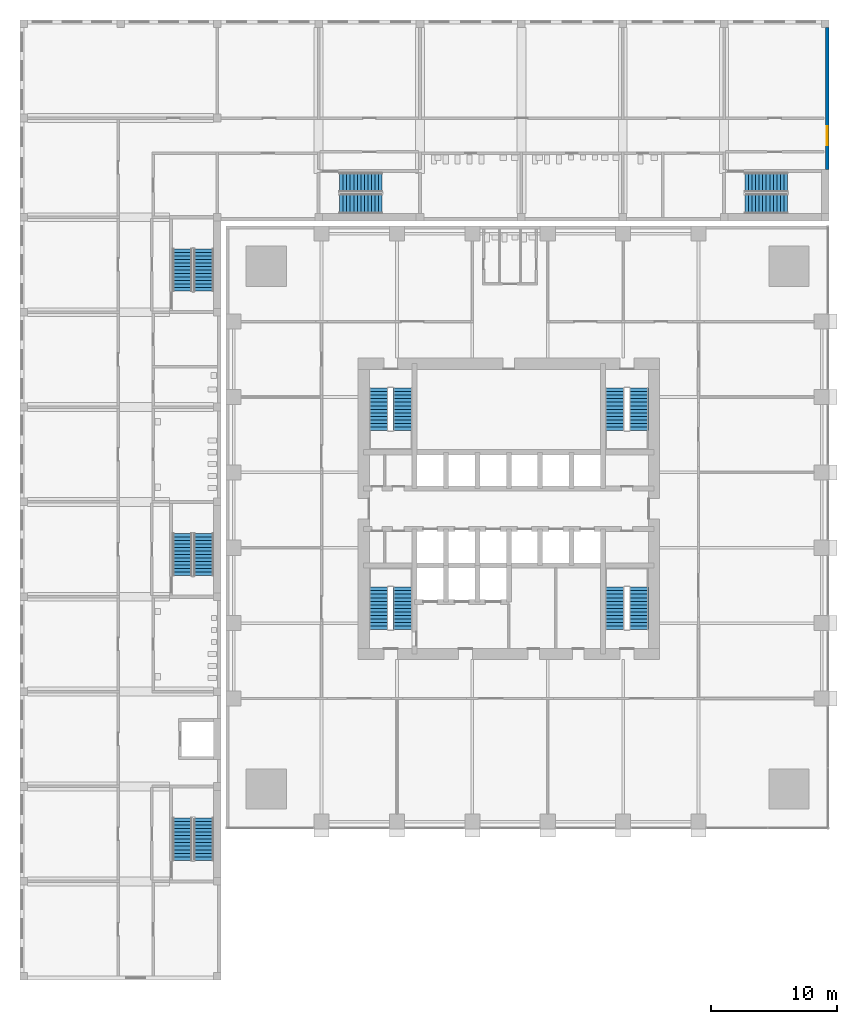
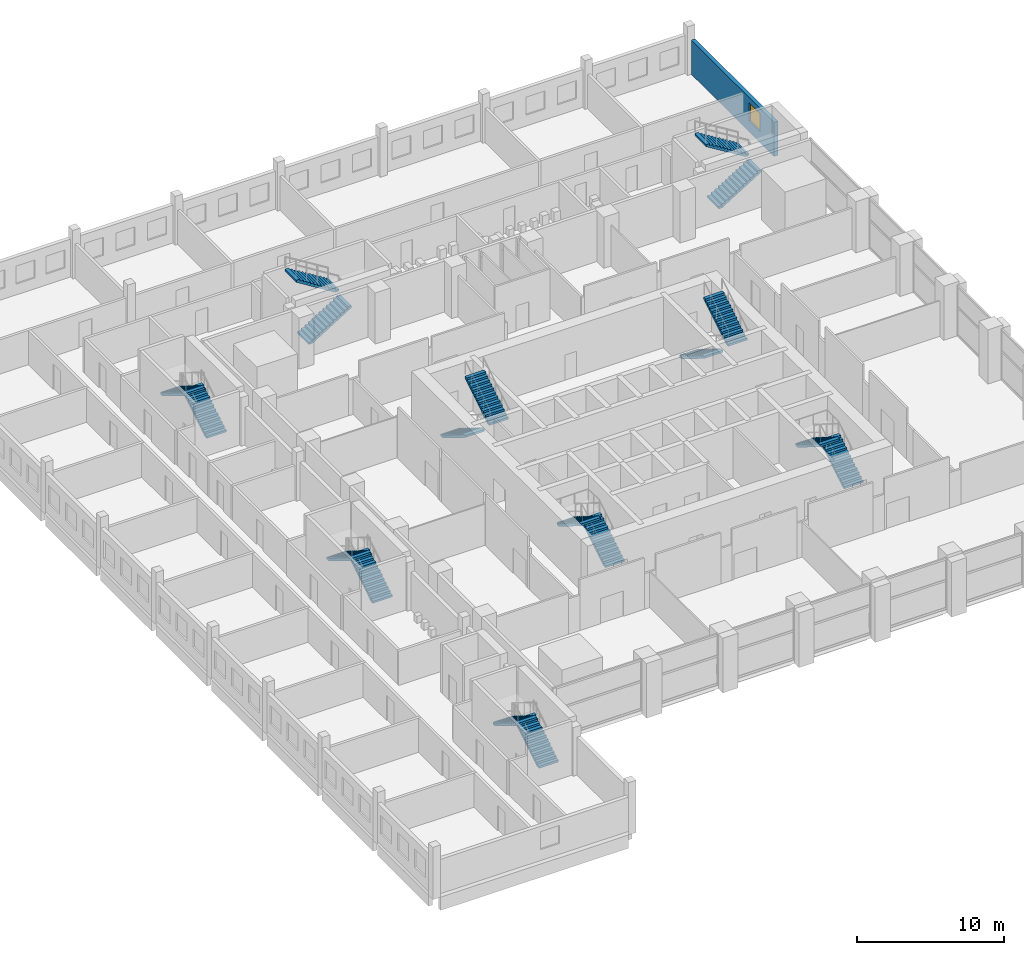
# One storey, part 18 of 24: 18 stair flights, 1 wall, 1 window, 1 opening, 9 elements without a shape of their own.
"""IFC4 building model written with IfcOpenShell, lengths in metres."""

from ifc_helpers import new_model, si_unit, direction, frame, frame_2d, origin, place, context, subcontext, project, spatial, polyline, rectangle, outline, extrude, material, layer, layer_set, type_object, element, fill, aggregate, save


model = new_model("IFC4")

# Units and contexts
model_context = context("Model", 3, precision=1e-05, world=origin(), true_north=direction((0.0, 1.0)))
body_context = subcontext(model_context, "Body", "Model", "MODEL_VIEW")
ifc_project = project(units=[si_unit("LENGTHUNIT", "METRE"), si_unit("AREAUNIT", "SQUARE_METRE"), si_unit("VOLUMEUNIT", "CUBIC_METRE"), si_unit("PLANEANGLEUNIT", "RADIAN"), si_unit("MASSUNIT", "GRAM", prefix="KILO")], contexts=[model_context])

# Site, building, storey
site_placement = place(None, origin())
site = spatial("IfcSite", under=ifc_project, at=site_placement, CompositionType="ELEMENT")
building_placement = place(site_placement, origin())
building = spatial("IfcBuilding", under=site, at=building_placement, Name="Amberfall Residences", CompositionType="ELEMENT")
storey_placement = place(building_placement, frame((0.0, 0.0, 19.0)))
storey = spatial("IfcBuildingStorey", under=building, at=storey_placement, Name="L04", CompositionType="ELEMENT", Elevation=19.0)

# Wall, opening, window
ifc_material_1 = material(Name="Aerated block wall")
ifc_layer = layer(ifc_material_1, 0.300048828125)
ifc_layer_set = layer_set([ifc_layer], Name="School external wall 300")
wall_type = type_object("IfcWallType", Name="School external wall 300", PredefinedType="SOLIDWALL", material=ifc_layer_set)
wall_placement = place(storey_placement, frame((99.85009765625, 72.5, 0.0), z_axis=(0.0, 0.0, 1.0), x_axis=(0.0, 1.0, 0.0)))
wall = element("IfcWall", 1, at=wall_placement, inside=storey, type_object=wall_type, Name="School external wall L04 EE", PredefinedType="SOLIDWALL", context=body_context, shape_type="SweptSolid", body=[
    extrude(rectangle(XDim=11.300048828125, YDim=0.300048828125, at=frame_2d((5.64990234375, 0.0))), origin(), (0.0, 0.0, 1.0), 2.85009765625),
])
opening_placement = place(wall_placement, frame((1.949951171875, 0.0, 0.89990234375)))
opening = element("IfcOpeningElement", 2, at=opening_placement, cuts=wall, Name="Opening SWN1", PredefinedType="OPENING", context=body_context, shape_type="SweptSolid", body=[
    extrude(rectangle(XDim=1.5, YDim=1.5, at=frame_2d((0.75, 0.75))), frame((0.0, 0.159912109375, 0.0), z_axis=(0.0, -1.0, 0.0), x_axis=(1.0, 0.0, 0.0)), (0.0, 0.0, 1.0), 0.320068359375),
])
ifc_material_2 = material(Name="Aluminium window", Category="aluminium")
window_type = type_object("IfcWindowType", Name="School window 1500 x 1500", PartitioningType="DOUBLE_PANEL_HORIZONTAL", PredefinedType="WINDOW", material=ifc_material_2)
window_placement = place(opening_placement, origin())
window = element("IfcWindow", 3, at=window_placement, inside=storey, type_object=window_type, Name="School window L04 EE-1", OverallHeight=1.5, OverallWidth=1.5, PartitioningType="DOUBLE_PANEL_HORIZONTAL", PredefinedType="WINDOW", context=body_context, shape_type="SweptSolid", body=[
    extrude(rectangle(XDim=1.5, YDim=1.5, at=frame_2d((0.75, 0.75))), frame((0.0, 0.030029296875, 0.0), z_axis=(0.0, -1.0, 0.0), x_axis=(1.0, 0.0, 0.0)), (0.0, 0.0, 1.0), 0.06005859375),
])
fill(opening, window)

# Stair, stair flights
ifc_material_3 = material(Name="Concrete C40", Category="concrete")
stair_type_1 = type_object("IfcStairType", Name="School stair", PredefinedType="HALF_TURN_STAIR", material=ifc_material_3)
stair_1_placement = place(storey_placement, origin())
stair_1 = element("IfcStair", 4, at=stair_1_placement, inside=storey, type_object=stair_type_1, Name="L04 Stair SS1", PredefinedType="HALF_TURN_STAIR")
stair_flight_type_1 = type_object("IfcStairFlightType", Name="School stair flight", PredefinedType="STRAIGHT", material=ifc_material_3)
stair_flight_1_placement = place(storey_placement, frame((50.22509765625, 17.52490234375, 0.0), z_axis=(0.0, 0.0, 1.0), x_axis=(0.0, 1.0, 0.0)))
stair_flight_1 = element("IfcStairFlight", 5, at=stair_flight_1_placement, type_object=stair_flight_type_1, Name="SS1 flight 1", NumberOfRisers=13, NumberOfTreads=12, PredefinedType="STRAIGHT", RiserHeight=0.173076923, TreadLength=0.28, context=body_context, shape_type="SweptSolid", body=[
    extrude(outline(polyline([(0.0, 0.0), (0.0, 0.173095703125), (0.280029296875, 0.173095703125), (0.280029296875, 0.34619140625), (0.56005859375, 0.34619140625), (0.56005859375, 0.519287109375), (0.840087890625, 0.519287109375), (0.840087890625, 0.6923828125), (1.1201171875, 0.6923828125), (1.1201171875, 0.865478515625), (1.39990234375, 0.865478515625), (1.39990234375, 1.03857421875), (1.679931640625, 1.03857421875), (1.679931640625, 1.21142578125), (1.9599609375, 1.21142578125), (1.9599609375, 1.384521484375), (2.239990234375, 1.384521484375), (2.239990234375, 1.5576171875), (2.52001953125, 1.5576171875), (2.52001953125, 1.730712890625), (2.800048828125, 1.730712890625), (2.800048828125, 1.90380859375), (3.080078125, 1.90380859375), (3.080078125, 2.076904296875), (3.360107421875, 2.076904296875), (3.360107421875, 2.25), (3.360107421875, 1.900634765625), (0.28515625, 0.0), (0.0, 0.0)])), frame((0.0, 0.77490234375, 0.0), z_axis=(0.0, -1.0, 0.0), x_axis=(1.0, 0.0, 0.0)), (0.0, 0.0, 1.0), 1.550048828125),
])
stair_flight_2_placement = place(storey_placement, frame((48.52490234375, 20.885009765625, 2.25), z_axis=(0.0, 0.0, 1.0), x_axis=(0.0, -1.0, 0.0)))
stair_flight_2 = element("IfcStairFlight", 6, at=stair_flight_2_placement, type_object=stair_flight_type_1, Name="SS1 flight 2", NumberOfRisers=13, NumberOfTreads=12, PredefinedType="STRAIGHT", RiserHeight=0.173076923, TreadLength=0.28, context=body_context, shape_type="SweptSolid", body=[
    extrude(outline(polyline([(0.0, 0.0), (0.0, 0.173095703125), (0.280029296875, 0.173095703125), (0.280029296875, 0.34619140625), (0.56005859375, 0.34619140625), (0.56005859375, 0.519287109375), (0.840087890625, 0.519287109375), (0.840087890625, 0.6923828125), (1.1201171875, 0.6923828125), (1.1201171875, 0.865478515625), (1.39990234375, 0.865478515625), (1.39990234375, 1.03857421875), (1.679931640625, 1.03857421875), (1.679931640625, 1.21142578125), (1.9599609375, 1.21142578125), (1.9599609375, 1.384521484375), (2.239990234375, 1.384521484375), (2.239990234375, 1.5576171875), (2.52001953125, 1.5576171875), (2.52001953125, 1.730712890625), (2.800048828125, 1.730712890625), (2.800048828125, 1.90380859375), (3.080078125, 1.90380859375), (3.080078125, 2.076904296875), (3.360107421875, 2.076904296875), (3.360107421875, 2.25), (3.360107421875, 1.900634765625), (0.28515625, 0.0), (0.0, 0.0)])), frame((0.0, 0.77490234375, 0.0), z_axis=(0.0, -1.0, 0.0), x_axis=(1.0, 0.0, 0.0)), (0.0, 0.0, 1.0), 1.550048828125),
])
aggregate(stair_1, [stair_flight_1, stair_flight_2])

stair_2_placement = place(storey_placement, origin())
stair_2 = element("IfcStair", 7, at=stair_2_placement, inside=storey, type_object=stair_type_1, Name="L04 Stair SS2", PredefinedType="HALF_TURN_STAIR")
stair_flight_3_placement = place(storey_placement, frame((50.22509765625, 40.175048828125, 0.0), z_axis=(0.0, 0.0, 1.0), x_axis=(0.0, 1.0, 0.0)))
stair_flight_3 = element("IfcStairFlight", 8, at=stair_flight_3_placement, type_object=stair_flight_type_1, Name="SS2 flight 1", NumberOfRisers=13, NumberOfTreads=12, PredefinedType="STRAIGHT", RiserHeight=0.173076923, TreadLength=0.28, context=body_context, shape_type="SweptSolid", body=[
    extrude(outline(polyline([(0.0, 0.0), (0.0, 0.173095703125), (0.280029296875, 0.173095703125), (0.280029296875, 0.34619140625), (0.56005859375, 0.34619140625), (0.56005859375, 0.519287109375), (0.840087890625, 0.519287109375), (0.840087890625, 0.6923828125), (1.1201171875, 0.6923828125), (1.1201171875, 0.865478515625), (1.39990234375, 0.865478515625), (1.39990234375, 1.03857421875), (1.679931640625, 1.03857421875), (1.679931640625, 1.21142578125), (1.9599609375, 1.21142578125), (1.9599609375, 1.384521484375), (2.239990234375, 1.384521484375), (2.239990234375, 1.5576171875), (2.52001953125, 1.5576171875), (2.52001953125, 1.730712890625), (2.800048828125, 1.730712890625), (2.800048828125, 1.90380859375), (3.080078125, 1.90380859375), (3.080078125, 2.076904296875), (3.360107421875, 2.076904296875), (3.360107421875, 2.25), (3.360107421875, 1.900634765625), (0.28515625, 0.0), (0.0, 0.0)])), frame((0.0, 0.77490234375, 0.0), z_axis=(0.0, -1.0, 0.0), x_axis=(1.0, 0.0, 0.0)), (0.0, 0.0, 1.0), 1.550048828125),
])
stair_flight_4_placement = place(storey_placement, frame((48.52490234375, 43.534912109375, 2.25), z_axis=(0.0, 0.0, 1.0), x_axis=(0.0, -1.0, 0.0)))
stair_flight_4 = element("IfcStairFlight", 9, at=stair_flight_4_placement, type_object=stair_flight_type_1, Name="SS2 flight 2", NumberOfRisers=13, NumberOfTreads=12, PredefinedType="STRAIGHT", RiserHeight=0.173076923, TreadLength=0.28, context=body_context, shape_type="SweptSolid", body=[
    extrude(outline(polyline([(0.0, 0.0), (0.0, 0.173095703125), (0.280029296875, 0.173095703125), (0.280029296875, 0.34619140625), (0.56005859375, 0.34619140625), (0.56005859375, 0.519287109375), (0.840087890625, 0.519287109375), (0.840087890625, 0.6923828125), (1.1201171875, 0.6923828125), (1.1201171875, 0.865478515625), (1.39990234375, 0.865478515625), (1.39990234375, 1.03857421875), (1.679931640625, 1.03857421875), (1.679931640625, 1.21142578125), (1.9599609375, 1.21142578125), (1.9599609375, 1.384521484375), (2.239990234375, 1.384521484375), (2.239990234375, 1.5576171875), (2.52001953125, 1.5576171875), (2.52001953125, 1.730712890625), (2.800048828125, 1.730712890625), (2.800048828125, 1.90380859375), (3.080078125, 1.90380859375), (3.080078125, 2.076904296875), (3.360107421875, 2.076904296875), (3.360107421875, 2.25), (3.360107421875, 1.900634765625), (0.28515625, 0.0), (0.0, 0.0)])), frame((0.0, 0.77490234375, 0.0), z_axis=(0.0, -1.0, 0.0), x_axis=(1.0, 0.0, 0.0)), (0.0, 0.0, 1.0), 1.550048828125),
])
aggregate(stair_2, [stair_flight_3, stair_flight_4])

stair_3_placement = place(storey_placement, origin())
stair_3 = element("IfcStair", 10, at=stair_3_placement, inside=storey, type_object=stair_type_1, Name="L04 Stair SS3", PredefinedType="HALF_TURN_STAIR")
stair_flight_5_placement = place(storey_placement, frame((50.22509765625, 62.824951171875, 0.0), z_axis=(0.0, 0.0, 1.0), x_axis=(0.0, 1.0, 0.0)))
stair_flight_5 = element("IfcStairFlight", 11, at=stair_flight_5_placement, type_object=stair_flight_type_1, Name="SS3 flight 1", NumberOfRisers=13, NumberOfTreads=12, PredefinedType="STRAIGHT", RiserHeight=0.173076923, TreadLength=0.28, context=body_context, shape_type="SweptSolid", body=[
    extrude(outline(polyline([(0.0, 0.0), (0.0, 0.173095703125), (0.280029296875, 0.173095703125), (0.280029296875, 0.34619140625), (0.56005859375, 0.34619140625), (0.56005859375, 0.519287109375), (0.840087890625, 0.519287109375), (0.840087890625, 0.6923828125), (1.1201171875, 0.6923828125), (1.1201171875, 0.865478515625), (1.39990234375, 0.865478515625), (1.39990234375, 1.03857421875), (1.679931640625, 1.03857421875), (1.679931640625, 1.21142578125), (1.9599609375, 1.21142578125), (1.9599609375, 1.384521484375), (2.239990234375, 1.384521484375), (2.239990234375, 1.5576171875), (2.52001953125, 1.5576171875), (2.52001953125, 1.730712890625), (2.800048828125, 1.730712890625), (2.800048828125, 1.90380859375), (3.080078125, 1.90380859375), (3.080078125, 2.076904296875), (3.360107421875, 2.076904296875), (3.360107421875, 2.25), (3.360107421875, 1.900634765625), (0.28515625, 0.0), (0.0, 0.0)])), frame((0.0, 0.77490234375, 0.0), z_axis=(0.0, -1.0, 0.0), x_axis=(1.0, 0.0, 0.0)), (0.0, 0.0, 1.0), 1.550048828125),
])
stair_flight_6_placement = place(storey_placement, frame((48.52490234375, 66.18505859375, 2.25), z_axis=(0.0, 0.0, 1.0), x_axis=(0.0, -1.0, 0.0)))
stair_flight_6 = element("IfcStairFlight", 12, at=stair_flight_6_placement, type_object=stair_flight_type_1, Name="SS3 flight 2", NumberOfRisers=13, NumberOfTreads=12, PredefinedType="STRAIGHT", RiserHeight=0.173076923, TreadLength=0.28, context=body_context, shape_type="SweptSolid", body=[
    extrude(outline(polyline([(0.0, 0.0), (0.0, 0.173095703125), (0.280029296875, 0.173095703125), (0.280029296875, 0.34619140625), (0.56005859375, 0.34619140625), (0.56005859375, 0.519287109375), (0.840087890625, 0.519287109375), (0.840087890625, 0.6923828125), (1.1201171875, 0.6923828125), (1.1201171875, 0.865478515625), (1.39990234375, 0.865478515625), (1.39990234375, 1.03857421875), (1.679931640625, 1.03857421875), (1.679931640625, 1.21142578125), (1.9599609375, 1.21142578125), (1.9599609375, 1.384521484375), (2.239990234375, 1.384521484375), (2.239990234375, 1.5576171875), (2.52001953125, 1.5576171875), (2.52001953125, 1.730712890625), (2.800048828125, 1.730712890625), (2.800048828125, 1.90380859375), (3.080078125, 1.90380859375), (3.080078125, 2.076904296875), (3.360107421875, 2.076904296875), (3.360107421875, 2.25), (3.360107421875, 1.900634765625), (0.28515625, 0.0), (0.0, 0.0)])), frame((0.0, 0.77490234375, 0.0), z_axis=(0.0, -1.0, 0.0), x_axis=(1.0, 0.0, 0.0)), (0.0, 0.0, 1.0), 1.550048828125),
])
aggregate(stair_3, [stair_flight_5, stair_flight_6])

stair_4_placement = place(storey_placement, origin())
stair_4 = element("IfcStair", 13, at=stair_4_placement, inside=storey, type_object=stair_type_1, Name="L04 Stair SS4", PredefinedType="HALF_TURN_STAIR")
stair_flight_7_placement = place(storey_placement, frame((61.0419921875, 69.77490234375, 0.0), z_axis=(0.0, 0.0, 1.0), x_axis=(1.0, 0.0, 0.0)))
stair_flight_7 = element("IfcStairFlight", 14, at=stair_flight_7_placement, type_object=stair_flight_type_1, Name="SS4 flight 1", NumberOfRisers=13, NumberOfTreads=12, PredefinedType="STRAIGHT", RiserHeight=0.173076923, TreadLength=0.28, context=body_context, shape_type="SweptSolid", body=[
    extrude(outline(polyline([(0.0, 0.0), (0.0, 0.173095703125), (0.280029296875, 0.173095703125), (0.280029296875, 0.34619140625), (0.56005859375, 0.34619140625), (0.56005859375, 0.519287109375), (0.840087890625, 0.519287109375), (0.840087890625, 0.6923828125), (1.1201171875, 0.6923828125), (1.1201171875, 0.865478515625), (1.39990234375, 0.865478515625), (1.39990234375, 1.03857421875), (1.679931640625, 1.03857421875), (1.679931640625, 1.21142578125), (1.9599609375, 1.21142578125), (1.9599609375, 1.384521484375), (2.239990234375, 1.384521484375), (2.239990234375, 1.5576171875), (2.52001953125, 1.5576171875), (2.52001953125, 1.730712890625), (2.800048828125, 1.730712890625), (2.800048828125, 1.90380859375), (3.080078125, 1.90380859375), (3.080078125, 2.076904296875), (3.360107421875, 2.076904296875), (3.360107421875, 2.25), (3.360107421875, 1.900634765625), (0.28515625, 0.0), (0.0, 0.0)])), frame((0.0, 0.77490234375, 0.0), z_axis=(0.0, -1.0, 0.0), x_axis=(1.0, 0.0, 0.0)), (0.0, 0.0, 1.0), 1.550048828125),
])
stair_flight_8_placement = place(storey_placement, frame((64.402099609375, 71.47509765625, 2.25), z_axis=(0.0, 0.0, 1.0), x_axis=(-1.0, 0.0, 0.0)))
stair_flight_8 = element("IfcStairFlight", 15, at=stair_flight_8_placement, type_object=stair_flight_type_1, Name="SS4 flight 2", NumberOfRisers=13, NumberOfTreads=12, PredefinedType="STRAIGHT", RiserHeight=0.173076923, TreadLength=0.28, context=body_context, shape_type="SweptSolid", body=[
    extrude(outline(polyline([(0.0, 0.0), (0.0, 0.173095703125), (0.280029296875, 0.173095703125), (0.280029296875, 0.34619140625), (0.56005859375, 0.34619140625), (0.56005859375, 0.519287109375), (0.840087890625, 0.519287109375), (0.840087890625, 0.6923828125), (1.1201171875, 0.6923828125), (1.1201171875, 0.865478515625), (1.39990234375, 0.865478515625), (1.39990234375, 1.03857421875), (1.679931640625, 1.03857421875), (1.679931640625, 1.21142578125), (1.9599609375, 1.21142578125), (1.9599609375, 1.384521484375), (2.239990234375, 1.384521484375), (2.239990234375, 1.5576171875), (2.52001953125, 1.5576171875), (2.52001953125, 1.730712890625), (2.800048828125, 1.730712890625), (2.800048828125, 1.90380859375), (3.080078125, 1.90380859375), (3.080078125, 2.076904296875), (3.360107421875, 2.076904296875), (3.360107421875, 2.25), (3.360107421875, 1.900634765625), (0.28515625, 0.0), (0.0, 0.0)])), frame((0.0, 0.77490234375, 0.0), z_axis=(0.0, -1.0, 0.0), x_axis=(1.0, 0.0, 0.0)), (0.0, 0.0, 1.0), 1.550048828125),
])
aggregate(stair_4, [stair_flight_7, stair_flight_8])

stair_5_placement = place(storey_placement, origin())
stair_5 = element("IfcStair", 16, at=stair_5_placement, inside=storey, type_object=stair_type_1, Name="L04 Stair SS5", PredefinedType="HALF_TURN_STAIR")
stair_flight_9_placement = place(storey_placement, frame((93.30810546875, 69.77490234375, 0.0), z_axis=(0.0, 0.0, 1.0), x_axis=(1.0, 0.0, 0.0)))
stair_flight_9 = element("IfcStairFlight", 17, at=stair_flight_9_placement, type_object=stair_flight_type_1, Name="SS5 flight 1", NumberOfRisers=13, NumberOfTreads=12, PredefinedType="STRAIGHT", RiserHeight=0.173076923, TreadLength=0.28, context=body_context, shape_type="SweptSolid", body=[
    extrude(outline(polyline([(0.0, 0.0), (0.0, 0.173095703125), (0.280029296875, 0.173095703125), (0.280029296875, 0.34619140625), (0.56005859375, 0.34619140625), (0.56005859375, 0.519287109375), (0.840087890625, 0.519287109375), (0.840087890625, 0.6923828125), (1.1201171875, 0.6923828125), (1.1201171875, 0.865478515625), (1.39990234375, 0.865478515625), (1.39990234375, 1.03857421875), (1.679931640625, 1.03857421875), (1.679931640625, 1.21142578125), (1.9599609375, 1.21142578125), (1.9599609375, 1.384521484375), (2.239990234375, 1.384521484375), (2.239990234375, 1.5576171875), (2.52001953125, 1.5576171875), (2.52001953125, 1.730712890625), (2.800048828125, 1.730712890625), (2.800048828125, 1.90380859375), (3.080078125, 1.90380859375), (3.080078125, 2.076904296875), (3.360107421875, 2.076904296875), (3.360107421875, 2.25), (3.360107421875, 1.900634765625), (0.28515625, 0.0), (0.0, 0.0)])), frame((0.0, 0.77490234375, 0.0), z_axis=(0.0, -1.0, 0.0), x_axis=(1.0, 0.0, 0.0)), (0.0, 0.0, 1.0), 1.550048828125),
])
stair_flight_10_placement = place(storey_placement, frame((96.66796875, 71.47509765625, 2.25), z_axis=(0.0, 0.0, 1.0), x_axis=(-1.0, 0.0, 0.0)))
stair_flight_10 = element("IfcStairFlight", 18, at=stair_flight_10_placement, type_object=stair_flight_type_1, Name="SS5 flight 2", NumberOfRisers=13, NumberOfTreads=12, PredefinedType="STRAIGHT", RiserHeight=0.173076923, TreadLength=0.28, context=body_context, shape_type="SweptSolid", body=[
    extrude(outline(polyline([(0.0, 0.0), (0.0, 0.173095703125), (0.280029296875, 0.173095703125), (0.280029296875, 0.34619140625), (0.56005859375, 0.34619140625), (0.56005859375, 0.519287109375), (0.840087890625, 0.519287109375), (0.840087890625, 0.6923828125), (1.1201171875, 0.6923828125), (1.1201171875, 0.865478515625), (1.39990234375, 0.865478515625), (1.39990234375, 1.03857421875), (1.679931640625, 1.03857421875), (1.679931640625, 1.21142578125), (1.9599609375, 1.21142578125), (1.9599609375, 1.384521484375), (2.239990234375, 1.384521484375), (2.239990234375, 1.5576171875), (2.52001953125, 1.5576171875), (2.52001953125, 1.730712890625), (2.800048828125, 1.730712890625), (2.800048828125, 1.90380859375), (3.080078125, 1.90380859375), (3.080078125, 2.076904296875), (3.360107421875, 2.076904296875), (3.360107421875, 2.25), (3.360107421875, 1.900634765625), (0.28515625, 0.0), (0.0, 0.0)])), frame((0.0, 0.77490234375, 0.0), z_axis=(0.0, -1.0, 0.0), x_axis=(1.0, 0.0, 0.0)), (0.0, 0.0, 1.0), 1.550048828125),
])
aggregate(stair_5, [stair_flight_9, stair_flight_10])

stair_type_2 = type_object("IfcStairType", Name="Exit stair 26 risers 173.1 mm", PredefinedType="HALF_TURN_STAIR", material=ifc_material_3)
stair_6_placement = place(storey_placement, origin())
stair_6 = element("IfcStair", 19, at=stair_6_placement, inside=storey, type_object=stair_type_2, Name="L04 Exit stair 1", PredefinedType="HALF_TURN_STAIR")
stair_flight_type_2 = type_object("IfcStairFlightType", Name="Stair flight 13 risers 173.1 mm", PredefinedType="STRAIGHT", material=ifc_material_3)
stair_flight_11_placement = place(storey_placement, frame((66.050048828125, 35.89990234375, 0.0), z_axis=(0.0, 0.0, 1.0), x_axis=(0.0, 1.0, 0.0)))
stair_flight_11 = element("IfcStairFlight", 20, at=stair_flight_11_placement, type_object=stair_flight_type_2, Name="ST2 flight 1", NumberOfRisers=13, NumberOfTreads=12, PredefinedType="STRAIGHT", RiserHeight=0.173076923, TreadLength=0.28, context=body_context, shape_type="SweptSolid", body=[
    extrude(outline(polyline([(0.0, 0.0), (0.0, 0.173095703125), (0.280029296875, 0.173095703125), (0.280029296875, 0.34619140625), (0.56005859375, 0.34619140625), (0.56005859375, 0.519287109375), (0.840087890625, 0.519287109375), (0.840087890625, 0.6923828125), (1.1201171875, 0.6923828125), (1.1201171875, 0.865478515625), (1.39990234375, 0.865478515625), (1.39990234375, 1.03857421875), (1.679931640625, 1.03857421875), (1.679931640625, 1.21142578125), (1.9599609375, 1.21142578125), (1.9599609375, 1.384521484375), (2.239990234375, 1.384521484375), (2.239990234375, 1.5576171875), (2.52001953125, 1.5576171875), (2.52001953125, 1.730712890625), (2.800048828125, 1.730712890625), (2.800048828125, 1.90380859375), (3.080078125, 1.90380859375), (3.080078125, 2.076904296875), (3.360107421875, 2.076904296875), (3.360107421875, 2.25), (3.360107421875, 1.900634765625), (0.28515625, 0.0), (0.0, 0.0)])), frame((0.0, 0.75, 0.0), z_axis=(0.0, -1.0, 0.0), x_axis=(1.0, 0.0, 0.0)), (0.0, 0.0, 1.0), 1.5),
])
stair_flight_12_placement = place(storey_placement, frame((64.14990234375, 39.260009765625, 2.25), z_axis=(0.0, 0.0, 1.0), x_axis=(0.0, -1.0, 0.0)))
stair_flight_12 = element("IfcStairFlight", 21, at=stair_flight_12_placement, type_object=stair_flight_type_2, Name="ST2 flight 2", NumberOfRisers=13, NumberOfTreads=12, PredefinedType="STRAIGHT", RiserHeight=0.173076923, TreadLength=0.28, context=body_context, shape_type="SweptSolid", body=[
    extrude(outline(polyline([(0.0, 0.0), (0.0, 0.173095703125), (0.280029296875, 0.173095703125), (0.280029296875, 0.34619140625), (0.56005859375, 0.34619140625), (0.56005859375, 0.519287109375), (0.840087890625, 0.519287109375), (0.840087890625, 0.6923828125), (1.1201171875, 0.6923828125), (1.1201171875, 0.865478515625), (1.39990234375, 0.865478515625), (1.39990234375, 1.03857421875), (1.679931640625, 1.03857421875), (1.679931640625, 1.21142578125), (1.9599609375, 1.21142578125), (1.9599609375, 1.384521484375), (2.239990234375, 1.384521484375), (2.239990234375, 1.5576171875), (2.52001953125, 1.5576171875), (2.52001953125, 1.730712890625), (2.800048828125, 1.730712890625), (2.800048828125, 1.90380859375), (3.080078125, 1.90380859375), (3.080078125, 2.076904296875), (3.360107421875, 2.076904296875), (3.360107421875, 2.25), (3.360107421875, 1.900634765625), (0.28515625, 0.0), (0.0, 0.0)])), frame((0.0, 0.75, 0.0), z_axis=(0.0, -1.0, 0.0), x_axis=(1.0, 0.0, 0.0)), (0.0, 0.0, 1.0), 1.5),
])
aggregate(stair_6, [stair_flight_11, stair_flight_12])

stair_7_placement = place(storey_placement, origin())
stair_7 = element("IfcStair", 22, at=stair_7_placement, inside=storey, type_object=stair_type_2, Name="L04 Exit stair 2", PredefinedType="HALF_TURN_STAIR")
stair_flight_13_placement = place(storey_placement, frame((84.85009765625, 35.89990234375, 0.0), z_axis=(0.0, 0.0, 1.0), x_axis=(0.0, 1.0, 0.0)))
stair_flight_13 = element("IfcStairFlight", 23, at=stair_flight_13_placement, type_object=stair_flight_type_2, Name="ST2 flight 1", NumberOfRisers=13, NumberOfTreads=12, PredefinedType="STRAIGHT", RiserHeight=0.173076923, TreadLength=0.28, context=body_context, shape_type="SweptSolid", body=[
    extrude(outline(polyline([(0.0, 0.0), (0.0, 0.173095703125), (0.280029296875, 0.173095703125), (0.280029296875, 0.34619140625), (0.56005859375, 0.34619140625), (0.56005859375, 0.519287109375), (0.840087890625, 0.519287109375), (0.840087890625, 0.6923828125), (1.1201171875, 0.6923828125), (1.1201171875, 0.865478515625), (1.39990234375, 0.865478515625), (1.39990234375, 1.03857421875), (1.679931640625, 1.03857421875), (1.679931640625, 1.21142578125), (1.9599609375, 1.21142578125), (1.9599609375, 1.384521484375), (2.239990234375, 1.384521484375), (2.239990234375, 1.5576171875), (2.52001953125, 1.5576171875), (2.52001953125, 1.730712890625), (2.800048828125, 1.730712890625), (2.800048828125, 1.90380859375), (3.080078125, 1.90380859375), (3.080078125, 2.076904296875), (3.360107421875, 2.076904296875), (3.360107421875, 2.25), (3.360107421875, 1.900634765625), (0.28515625, 0.0), (0.0, 0.0)])), frame((0.0, 0.75, 0.0), z_axis=(0.0, -1.0, 0.0), x_axis=(1.0, 0.0, 0.0)), (0.0, 0.0, 1.0), 1.5),
])
stair_flight_14_placement = place(storey_placement, frame((82.949951171875, 39.260009765625, 2.25), z_axis=(0.0, 0.0, 1.0), x_axis=(0.0, -1.0, 0.0)))
stair_flight_14 = element("IfcStairFlight", 24, at=stair_flight_14_placement, type_object=stair_flight_type_2, Name="ST2 flight 2", NumberOfRisers=13, NumberOfTreads=12, PredefinedType="STRAIGHT", RiserHeight=0.173076923, TreadLength=0.28, context=body_context, shape_type="SweptSolid", body=[
    extrude(outline(polyline([(0.0, 0.0), (0.0, 0.173095703125), (0.280029296875, 0.173095703125), (0.280029296875, 0.34619140625), (0.56005859375, 0.34619140625), (0.56005859375, 0.519287109375), (0.840087890625, 0.519287109375), (0.840087890625, 0.6923828125), (1.1201171875, 0.6923828125), (1.1201171875, 0.865478515625), (1.39990234375, 0.865478515625), (1.39990234375, 1.03857421875), (1.679931640625, 1.03857421875), (1.679931640625, 1.21142578125), (1.9599609375, 1.21142578125), (1.9599609375, 1.384521484375), (2.239990234375, 1.384521484375), (2.239990234375, 1.5576171875), (2.52001953125, 1.5576171875), (2.52001953125, 1.730712890625), (2.800048828125, 1.730712890625), (2.800048828125, 1.90380859375), (3.080078125, 1.90380859375), (3.080078125, 2.076904296875), (3.360107421875, 2.076904296875), (3.360107421875, 2.25), (3.360107421875, 1.900634765625), (0.28515625, 0.0), (0.0, 0.0)])), frame((0.0, 0.75, 0.0), z_axis=(0.0, -1.0, 0.0), x_axis=(1.0, 0.0, 0.0)), (0.0, 0.0, 1.0), 1.5),
])
aggregate(stair_7, [stair_flight_13, stair_flight_14])

stair_8_placement = place(storey_placement, origin())
stair_8 = element("IfcStair", 25, at=stair_8_placement, inside=storey, type_object=stair_type_2, Name="L04 Exit stair 3", PredefinedType="HALF_TURN_STAIR")
stair_flight_15_placement = place(storey_placement, frame((82.949951171875, 55.10009765625, 0.0), z_axis=(0.0, 0.0, 1.0), x_axis=(0.0, -1.0, 0.0)))
stair_flight_15 = element("IfcStairFlight", 26, at=stair_flight_15_placement, type_object=stair_flight_type_2, Name="ST2 flight 1", NumberOfRisers=13, NumberOfTreads=12, PredefinedType="STRAIGHT", RiserHeight=0.173076923, TreadLength=0.28, context=body_context, shape_type="SweptSolid", body=[
    extrude(outline(polyline([(0.0, 0.0), (0.0, 0.173095703125), (0.280029296875, 0.173095703125), (0.280029296875, 0.34619140625), (0.56005859375, 0.34619140625), (0.56005859375, 0.519287109375), (0.840087890625, 0.519287109375), (0.840087890625, 0.6923828125), (1.1201171875, 0.6923828125), (1.1201171875, 0.865478515625), (1.39990234375, 0.865478515625), (1.39990234375, 1.03857421875), (1.679931640625, 1.03857421875), (1.679931640625, 1.21142578125), (1.9599609375, 1.21142578125), (1.9599609375, 1.384521484375), (2.239990234375, 1.384521484375), (2.239990234375, 1.5576171875), (2.52001953125, 1.5576171875), (2.52001953125, 1.730712890625), (2.800048828125, 1.730712890625), (2.800048828125, 1.90380859375), (3.080078125, 1.90380859375), (3.080078125, 2.076904296875), (3.360107421875, 2.076904296875), (3.360107421875, 2.25), (3.360107421875, 1.900634765625), (0.28515625, 0.0), (0.0, 0.0)])), frame((0.0, 0.75, 0.0), z_axis=(0.0, -1.0, 0.0), x_axis=(1.0, 0.0, 0.0)), (0.0, 0.0, 1.0), 1.5),
])
stair_flight_16_placement = place(storey_placement, frame((84.85009765625, 51.739990234375, 2.25), z_axis=(0.0, 0.0, 1.0), x_axis=(0.0, 1.0, 0.0)))
stair_flight_16 = element("IfcStairFlight", 27, at=stair_flight_16_placement, type_object=stair_flight_type_2, Name="ST2 flight 2", NumberOfRisers=13, NumberOfTreads=12, PredefinedType="STRAIGHT", RiserHeight=0.173076923, TreadLength=0.28, context=body_context, shape_type="SweptSolid", body=[
    extrude(outline(polyline([(0.0, 0.0), (0.0, 0.173095703125), (0.280029296875, 0.173095703125), (0.280029296875, 0.34619140625), (0.56005859375, 0.34619140625), (0.56005859375, 0.519287109375), (0.840087890625, 0.519287109375), (0.840087890625, 0.6923828125), (1.1201171875, 0.6923828125), (1.1201171875, 0.865478515625), (1.39990234375, 0.865478515625), (1.39990234375, 1.03857421875), (1.679931640625, 1.03857421875), (1.679931640625, 1.21142578125), (1.9599609375, 1.21142578125), (1.9599609375, 1.384521484375), (2.239990234375, 1.384521484375), (2.239990234375, 1.5576171875), (2.52001953125, 1.5576171875), (2.52001953125, 1.730712890625), (2.800048828125, 1.730712890625), (2.800048828125, 1.90380859375), (3.080078125, 1.90380859375), (3.080078125, 2.076904296875), (3.360107421875, 2.076904296875), (3.360107421875, 2.25), (3.360107421875, 1.900634765625), (0.28515625, 0.0), (0.0, 0.0)])), frame((0.0, 0.75, 0.0), z_axis=(0.0, -1.0, 0.0), x_axis=(1.0, 0.0, 0.0)), (0.0, 0.0, 1.0), 1.5),
])
aggregate(stair_8, [stair_flight_15, stair_flight_16])

stair_9_placement = place(storey_placement, origin())
stair_9 = element("IfcStair", 28, at=stair_9_placement, inside=storey, type_object=stair_type_2, Name="L04 Exit stair 4", PredefinedType="HALF_TURN_STAIR")
stair_flight_17_placement = place(storey_placement, frame((64.14990234375, 55.10009765625, 0.0), z_axis=(0.0, 0.0, 1.0), x_axis=(0.0, -1.0, 0.0)))
stair_flight_17 = element("IfcStairFlight", 29, at=stair_flight_17_placement, type_object=stair_flight_type_2, Name="ST2 flight 1", NumberOfRisers=13, NumberOfTreads=12, PredefinedType="STRAIGHT", RiserHeight=0.173076923, TreadLength=0.28, context=body_context, shape_type="SweptSolid", body=[
    extrude(outline(polyline([(0.0, 0.0), (0.0, 0.173095703125), (0.280029296875, 0.173095703125), (0.280029296875, 0.34619140625), (0.56005859375, 0.34619140625), (0.56005859375, 0.519287109375), (0.840087890625, 0.519287109375), (0.840087890625, 0.6923828125), (1.1201171875, 0.6923828125), (1.1201171875, 0.865478515625), (1.39990234375, 0.865478515625), (1.39990234375, 1.03857421875), (1.679931640625, 1.03857421875), (1.679931640625, 1.21142578125), (1.9599609375, 1.21142578125), (1.9599609375, 1.384521484375), (2.239990234375, 1.384521484375), (2.239990234375, 1.5576171875), (2.52001953125, 1.5576171875), (2.52001953125, 1.730712890625), (2.800048828125, 1.730712890625), (2.800048828125, 1.90380859375), (3.080078125, 1.90380859375), (3.080078125, 2.076904296875), (3.360107421875, 2.076904296875), (3.360107421875, 2.25), (3.360107421875, 1.900634765625), (0.28515625, 0.0), (0.0, 0.0)])), frame((0.0, 0.75, 0.0), z_axis=(0.0, -1.0, 0.0), x_axis=(1.0, 0.0, 0.0)), (0.0, 0.0, 1.0), 1.5),
])
stair_flight_18_placement = place(storey_placement, frame((66.050048828125, 51.739990234375, 2.25), z_axis=(0.0, 0.0, 1.0), x_axis=(0.0, 1.0, 0.0)))
stair_flight_18 = element("IfcStairFlight", 30, at=stair_flight_18_placement, type_object=stair_flight_type_2, Name="ST2 flight 2", NumberOfRisers=13, NumberOfTreads=12, PredefinedType="STRAIGHT", RiserHeight=0.173076923, TreadLength=0.28, context=body_context, shape_type="SweptSolid", body=[
    extrude(outline(polyline([(0.0, 0.0), (0.0, 0.173095703125), (0.280029296875, 0.173095703125), (0.280029296875, 0.34619140625), (0.56005859375, 0.34619140625), (0.56005859375, 0.519287109375), (0.840087890625, 0.519287109375), (0.840087890625, 0.6923828125), (1.1201171875, 0.6923828125), (1.1201171875, 0.865478515625), (1.39990234375, 0.865478515625), (1.39990234375, 1.03857421875), (1.679931640625, 1.03857421875), (1.679931640625, 1.21142578125), (1.9599609375, 1.21142578125), (1.9599609375, 1.384521484375), (2.239990234375, 1.384521484375), (2.239990234375, 1.5576171875), (2.52001953125, 1.5576171875), (2.52001953125, 1.730712890625), (2.800048828125, 1.730712890625), (2.800048828125, 1.90380859375), (3.080078125, 1.90380859375), (3.080078125, 2.076904296875), (3.360107421875, 2.076904296875), (3.360107421875, 2.25), (3.360107421875, 1.900634765625), (0.28515625, 0.0), (0.0, 0.0)])), frame((0.0, 0.75, 0.0), z_axis=(0.0, -1.0, 0.0), x_axis=(1.0, 0.0, 0.0)), (0.0, 0.0, 1.0), 1.5),
])
aggregate(stair_9, [stair_flight_17, stair_flight_18])

save(model, "model.ifc")
